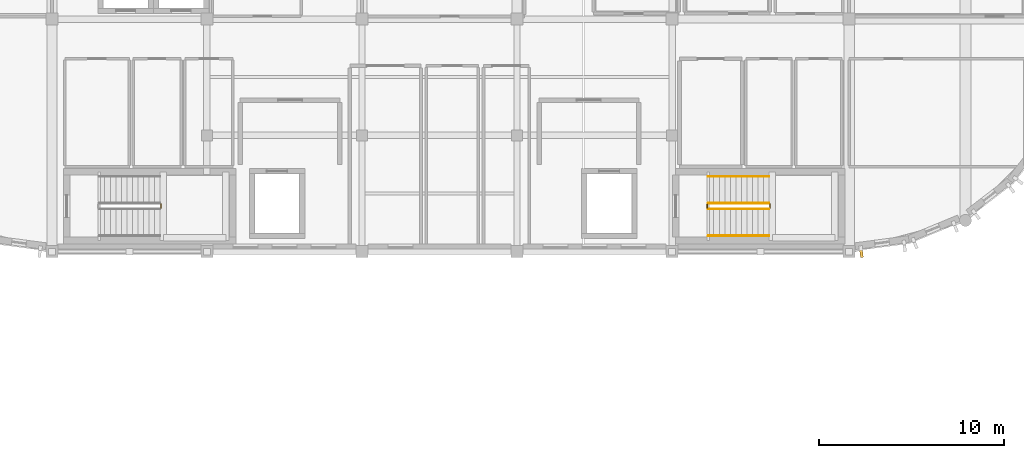
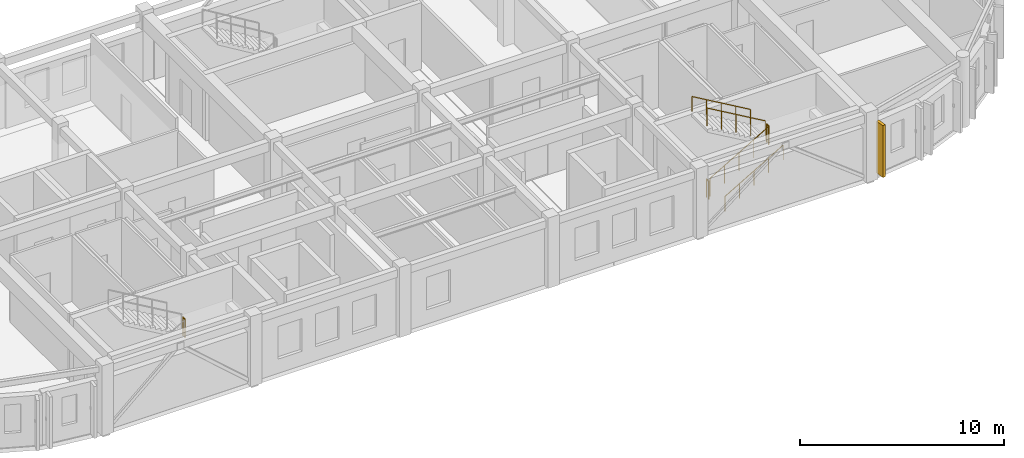
# One storey, part 26 of 29: 7 railings, 1 covering.
"""IFC4 building model written with IfcOpenShell, lengths in metres."""

import ifcopenshell
import ifcopenshell.guid

model = None  # the IFC model being written
_history = None  # IfcOwnerHistory: only IFC2X3 demands one
_inside = {}  # id of a spatial element -> (the spatial element, [elements in it])
_under = {}  # id of a project, library or spatial element -> (it, [spatial elements below it])
_declared = {}  # id of a project -> (the project, [libraries it declares])
_typed = {}  # id of a type object -> (the type object, [elements of that type])
_made_of = {}  # id of a material, layer set ... -> (it, [elements and type objects made of it])


def new_model(schema):
    """Start an empty IFC model of exactly this schema.

    Asked for "IFC4X3", IfcOpenShell would pick the latest addendum, in which some entities
    have other attributes; the version numbers below select the first issue.
    IFC2X3 requires an IfcOwnerHistory on every rooted entity: one is made here for all.
    """
    global model, _history
    if schema == "IFC4X3":
        model = ifcopenshell.file(schema_version=(4, 3, 0, 0))
    else:
        model = ifcopenshell.file(schema=schema)
    _inside.clear()
    _under.clear()
    _declared.clear()
    _typed.clear()
    _made_of.clear()
    _history = None
    if model.schema == "IFC2X3":
        org = make("IfcOrganization", Name="unknown")
        user = make(
            "IfcPersonAndOrganization",
            ThePerson=make("IfcPerson", FamilyName="unknown"),
            TheOrganization=org,
        )
        app = make(
            "IfcApplication",
            ApplicationDeveloper=org,
            Version="unknown",
            ApplicationFullName="unknown",
            ApplicationIdentifier="unknown",
        )
        _history = make(
            "IfcOwnerHistory",
            OwningUser=user,
            OwningApplication=app,
            ChangeAction="ADDED",
            CreationDate=0,
        )
    return model


def make(cls, **values):
    """One entity of the class cls with the attributes given. An attribute that is None is left unset."""
    return model.create_entity(
        cls, **{name: value for name, value in values.items() if value is not None}
    )


def rooted(cls, **values):
    """An entity with a GlobalId (a new one), such as an element, a storey or a relation."""
    return make(cls, GlobalId=ifcopenshell.guid.new(), OwnerHistory=_history, **values)


def si_unit(unit_type, name, prefix=None):
    """IfcSIUnit, for example si_unit("LENGTHUNIT", "METRE", prefix="MILLI")."""
    return make("IfcSIUnit", UnitType=unit_type, Prefix=prefix, Name=name)


def assignment(units):
    """IfcUnitAssignment: the units of a project."""
    return None if units is None else make("IfcUnitAssignment", Units=units)


def point(xyz):
    """IfcCartesianPoint."""
    return None if xyz is None else make("IfcCartesianPoint", Coordinates=xyz)


def direction(xyz):
    """IfcDirection."""
    return None if xyz is None else make("IfcDirection", DirectionRatios=xyz)


def frame(location, z_axis=None, x_axis=None):
    """IfcAxis2Placement3D, a coordinate frame: its origin and axes. An axis left out is left unset."""
    return make(
        "IfcAxis2Placement3D",
        Location=point(location),
        Axis=direction(z_axis),
        RefDirection=direction(x_axis),
    )


def frame_2d(location, x_axis=None):
    """IfcAxis2Placement2D, a coordinate frame in the plane: its origin and x axis."""
    return make(
        "IfcAxis2Placement2D", Location=point(location), RefDirection=direction(x_axis)
    )


def origin():
    """The frame at (0, 0, 0) with its axes left unset."""
    return frame((0.0, 0.0, 0.0))


def origin_2d():
    """The frame at (0, 0) in the plane with its x axis left unset."""
    return frame_2d((0.0, 0.0))


def place(relative_to, where):
    """IfcLocalPlacement: puts the frame where relative to a parent placement (None: the world)."""
    return make(
        "IfcLocalPlacement", PlacementRelTo=relative_to, RelativePlacement=where
    )


def context(
    kind, dimensions, precision=None, world=None, true_north=None, identifier=None
):
    """IfcGeometricRepresentationContext, for example the 3D "Model" context."""
    return make(
        "IfcGeometricRepresentationContext",
        ContextIdentifier=identifier,
        ContextType=kind,
        CoordinateSpaceDimension=dimensions,
        Precision=precision,
        WorldCoordinateSystem=world,
        TrueNorth=true_north,
    )


def subcontext(parent, identifier, kind, view, scale=None):
    """IfcGeometricRepresentationSubContext, for example "Body" below "Model"."""
    return make(
        "IfcGeometricRepresentationSubContext",
        ContextIdentifier=identifier,
        ContextType=kind,
        ParentContext=parent,
        TargetScale=scale,
        TargetView=view,
    )


def project(units=None, contexts=None):
    """IfcProject with its units and contexts."""
    return rooted(
        "IfcProject",
        Name="project",
        RepresentationContexts=contexts,
        UnitsInContext=assignment(units),
    )


def spatial(cls, under=None, at=None, **own):
    """A site, building, storey or space (cls), placed at a placement, below another one or the project."""
    s = rooted(cls, ObjectPlacement=at, **own)
    if under is not None:
        _under.setdefault(under.id(), (under, []))[1].append(s)
    return s


def profile(cls, at=None, kind="AREA", **sizes):
    """A parametric profile (cls). Its sizes go by their IFC names, for example OverallWidth=200.0."""
    return make(cls, ProfileType=kind, Position=at, **sizes)


def rectangle(**sizes):
    """IfcRectangleProfileDef."""
    return profile("IfcRectangleProfileDef", **sizes)


def circle(**sizes):
    """IfcCircleProfileDef."""
    return profile("IfcCircleProfileDef", **sizes)


def extrude(swept, where, along, depth):
    """IfcExtrudedAreaSolid: the profile swept, set in the frame where, extruded along a direction by depth."""
    return make(
        "IfcExtrudedAreaSolid",
        SweptArea=swept,
        Position=where,
        ExtrudedDirection=direction(along),
        Depth=depth,
    )


def shape(context_of_items, identifier, shape_type, items):
    """IfcShapeRepresentation: the items that make up one representation, for example the "Body"."""
    return make(
        "IfcShapeRepresentation",
        ContextOfItems=context_of_items,
        RepresentationIdentifier=identifier,
        RepresentationType=shape_type,
        Items=items,
    )


def material(Name=None, Category=None):
    """IfcMaterial."""
    return make("IfcMaterial", Name=Name, Category=Category)


def layer(
    of_material, thickness, ventilated=None, Name=None, Category=None, Priority=None
):
    """IfcMaterialLayer: one layer of a wall or slab, of a material (None: an air gap)."""
    return make(
        "IfcMaterialLayer",
        Material=of_material,
        LayerThickness=thickness,
        IsVentilated=ventilated,
        Name=Name,
        Category=Category,
        Priority=Priority,
    )


def layer_set(layers, Name=None):
    """IfcMaterialLayerSet."""
    return make("IfcMaterialLayerSet", MaterialLayers=layers, LayerSetName=Name)


def made_of(thing, what):
    """Note that an element or type object is made of a material, layer set ...; save() writes the relation."""
    if what is not None:
        _made_of.setdefault(what.id(), (what, []))[1].append(thing)
    return thing


def type_object(cls, material=None, **own):
    """A type object (cls), such as IfcWallType, which elements share."""
    return made_of(rooted(cls, **own), material)


def element(
    cls,
    number,
    at=None,
    inside=None,
    cuts=None,
    type_object=None,
    material=None,
    context=None,
    identifier="Body",
    shape_type=None,
    held_by="IfcProductDefinitionShape",
    body=None,
    shapes=None,
    **own,
):
    """One element of the class cls, such as IfcWall. Its Tag is "e" and its number.

    at: its placement. inside: the storey or other place that contains it. cuts: it is an
    opening in that element (IfcRelVoidsElement). A single representation is given by context,
    identifier, shape_type and body (its items); several are given by shapes. held_by: the class
    of the entity that holds the representations. save() writes the other relations.
    """
    e = rooted(cls, Tag="e%d" % number, ObjectPlacement=at, **own)
    if body is not None:
        shapes = [shape(context, identifier, shape_type, body)]
    if shapes is not None:
        e.Representation = make(held_by, Representations=shapes)
    if inside is not None:
        _inside.setdefault(inside.id(), (inside, []))[1].append(e)
    if cuts is not None:
        rooted(
            "IfcRelVoidsElement", RelatingBuildingElement=cuts, RelatedOpeningElement=e
        )
    if type_object is not None:
        _typed.setdefault(type_object.id(), (type_object, []))[1].append(e)
    return made_of(e, material)


def aggregate(whole, parts):
    """IfcRelAggregates: a whole, such as a stair, and the parts it consists of."""
    return rooted("IfcRelAggregates", RelatingObject=whole, RelatedObjects=parts)


def save(model, path):
    """Write the relations noted so far, then the file.

    IfcRelAggregates (storeys below a building ...), IfcRelContainedInSpatialStructure (elements
    in a storey), IfcRelDefinesByType, IfcRelAssociatesMaterial and IfcRelDeclares: one each for
    every whole, place, type object, material and project.
    """
    for whole, parts in _under.values():
        aggregate(whole, parts)
    for where, things in _inside.values():
        rooted(
            "IfcRelContainedInSpatialStructure",
            RelatedElements=things,
            RelatingStructure=where,
        )
    for kind, things in _typed.values():
        rooted("IfcRelDefinesByType", RelatedObjects=things, RelatingType=kind)
    for what, things in _made_of.values():
        rooted("IfcRelAssociatesMaterial", RelatedObjects=things, RelatingMaterial=what)
    for by, libraries in _declared.values():
        rooted("IfcRelDeclares", RelatingContext=by, RelatedDefinitions=libraries)
    model.write(path)


model = new_model("IFC4")

# Units and contexts
model_context = context("Model", 3, precision=1e-05, world=origin(), true_north=direction((0.0, 1.0)))
body_context = subcontext(model_context, "Body", "Model", "MODEL_VIEW")
ifc_project = project(units=[si_unit("LENGTHUNIT", "METRE"), si_unit("AREAUNIT", "SQUARE_METRE"), si_unit("VOLUMEUNIT", "CUBIC_METRE"), si_unit("PLANEANGLEUNIT", "RADIAN"), si_unit("MASSUNIT", "GRAM", prefix="KILO")], contexts=[model_context])

# Site, building, storey
site_placement = place(None, origin())
site = spatial("IfcSite", under=ifc_project, at=site_placement, CompositionType="ELEMENT")
building_placement = place(site_placement, origin())
building = spatial("IfcBuilding", under=site, at=building_placement, Name="Tarnavel Promenade Courthouse", CompositionType="ELEMENT")
storey_placement = place(building_placement, frame((0.0, 0.0, 22.800048828125)))
storey = spatial("IfcBuildingStorey", under=building, at=storey_placement, Name="L06", CompositionType="ELEMENT", Elevation=22.800048828125)

# Railings
ifc_material_1 = material(Name="Brushed Bronze Tubular Stair Handrail")
railing_type_1 = type_object("IfcRailingType", Name="Brushed Bronze Tubular Stair Handrail (RL-HND-0900)", PredefinedType="HANDRAIL", material=ifc_material_1)
railing_1_placement = place(storey_placement, frame((94.360107421875, 80.050048828125, 0.175048828125)))
element("IfcRailing", 1, at=railing_1_placement, inside=storey, type_object=railing_type_1, Name="L06 ST-02 stair handrail 1", PredefinedType="HANDRAIL", context=body_context, shape_type="SweptSolid", body=[
    extrude(circle(Radius=0.02392578125, at=origin_2d()), frame((0.0, 0.0, 0.8759765625), z_axis=(0.863788172461, 0.0, 0.503855131081), x_axis=(0.0, 1.0, 0.0)), (0.0, 0.0, 1.0), 3.820068359375),
    extrude(circle(Radius=0.02099609375, at=origin_2d()), origin(), (0.0, 0.0, 1.0), 0.851806640625),
    extrude(circle(Radius=0.02099609375, at=origin_2d()), frame((0.824951171875, 0.0, 0.481201171875)), (0.0, 0.0, 1.0), 0.851806640625),
    extrude(circle(Radius=0.02099609375, at=origin_2d()), frame((1.64990234375, 0.0, 0.96240234375)), (0.0, 0.0, 1.0), 0.851806640625),
    extrude(circle(Radius=0.02099609375, at=origin_2d()), frame((2.474853515625, 0.0, 1.443603515625)), (0.0, 0.0, 1.0), 0.851806640625),
    extrude(circle(Radius=0.02099609375, at=origin_2d()), frame((3.2998046875, 0.0, 1.9248046875)), (0.0, 0.0, 1.0), 0.851806640625),
])
railing_2_placement = place(storey_placement, frame((97.659912109375, 83.27001953125, 2.27490234375)))
element("IfcRailing", 2, at=railing_2_placement, inside=storey, type_object=railing_type_1, Name="L06 ST-02 stair handrail 2", PredefinedType="HANDRAIL", context=body_context, shape_type="SweptSolid", body=[
    extrude(circle(Radius=0.02392578125, at=origin_2d()), frame((0.0, 0.0, 0.8759765625), z_axis=(-0.863760357493, 0.0, 0.503902812876), x_axis=(0.0, -1.0, 0.0)), (0.0, 0.0, 1.0), 3.8203125),
    extrude(circle(Radius=0.02099609375, at=origin_2d()), origin(), (0.0, 0.0, 1.0), 0.851806640625),
    extrude(circle(Radius=0.02099609375, at=origin_2d()), frame((-0.824951171875, 0.0, 0.481201171875)), (0.0, 0.0, 1.0), 0.851806640625),
    extrude(circle(Radius=0.02099609375, at=origin_2d()), frame((-1.64990234375, 0.0, 0.96240234375)), (0.0, 0.0, 1.0), 0.851806640625),
    extrude(circle(Radius=0.02099609375, at=origin_2d()), frame((-2.474853515625, 0.0, 1.44384765625)), (0.0, 0.0, 1.0), 0.851806640625),
    extrude(circle(Radius=0.02099609375, at=origin_2d()), frame((-3.2998046875, 0.0, 1.925048828125)), (0.0, 0.0, 1.0), 0.851806640625),
])
ifc_material_2 = material(Name="Painted Architectural Steel Core Stair Guardrail", Category="steel")
railing_type_2 = type_object("IfcRailingType", Name="Painted Architectural Steel Core Stair Guardrail (RL-GRD-1100)", PredefinedType="GUARDRAIL", material=ifc_material_2)
railing_3_placement = place(storey_placement, frame((64.7099609375, 81.56005859375, 2.099853515625)))
element("IfcRailing", 3, at=railing_3_placement, inside=storey, type_object=railing_type_2, Name="L06 ST-01 stair guard 2", PredefinedType="GUARDRAIL", context=body_context, shape_type="SweptSolid", body=[
    extrude(circle(Radius=0.02392578125, at=origin_2d()), frame((0.0, 0.0, 1.076171875), z_axis=(0.0, 1.0, 0.0), x_axis=(-1.0, 0.0, 0.0)), (0.0, 0.0, 1.0), 0.199951171875),
    extrude(circle(Radius=0.02099609375, at=origin_2d()), origin(), (0.0, 0.0, 1.0), 1.052001953125),
    extrude(circle(Radius=0.02099609375, at=origin_2d()), frame((0.0, 0.199951171875, 0.0)), (0.0, 0.0, 1.0), 1.052001953125),
])
railing_4_placement = place(storey_placement, frame((94.360107421875, 81.510009765625, 0.175048828125)))
element("IfcRailing", 4, at=railing_4_placement, inside=storey, type_object=railing_type_2, Name="L06 ST-02 stair guard 1", PredefinedType="GUARDRAIL", context=body_context, shape_type="SweptSolid", body=[
    extrude(circle(Radius=0.02392578125, at=origin_2d()), frame((0.0, 0.0, 1.076171875), z_axis=(0.863788172461, 0.0, 0.503855131081), x_axis=(0.0, 1.0, 0.0)), (0.0, 0.0, 1.0), 3.820068359375),
    extrude(circle(Radius=0.02099609375, at=origin_2d()), origin(), (0.0, 0.0, 1.0), 1.052001953125),
    extrude(circle(Radius=0.02099609375, at=origin_2d()), frame((0.824951171875, 0.0, 0.481201171875)), (0.0, 0.0, 1.0), 1.052001953125),
    extrude(circle(Radius=0.02099609375, at=origin_2d()), frame((1.64990234375, 0.0, 0.96240234375)), (0.0, 0.0, 1.0), 1.052001953125),
    extrude(circle(Radius=0.02099609375, at=origin_2d()), frame((2.474853515625, 0.0, 1.443603515625)), (0.0, 0.0, 1.0), 1.052001953125),
    extrude(circle(Radius=0.02099609375, at=origin_2d()), frame((3.2998046875, 0.0, 1.9248046875)), (0.0, 0.0, 1.0), 1.052001953125),
])
railing_5_placement = place(storey_placement, frame((97.7099609375, 81.56005859375, 2.099853515625)))
element("IfcRailing", 5, at=railing_5_placement, inside=storey, type_object=railing_type_2, Name="L06 ST-02 stair guard 2", PredefinedType="GUARDRAIL", context=body_context, shape_type="SweptSolid", body=[
    extrude(circle(Radius=0.02392578125, at=origin_2d()), frame((0.0, 0.0, 1.076171875), z_axis=(0.0, 1.0, 0.0), x_axis=(-1.0, 0.0, 0.0)), (0.0, 0.0, 1.0), 0.199951171875),
    extrude(circle(Radius=0.02099609375, at=origin_2d()), origin(), (0.0, 0.0, 1.0), 1.052001953125),
    extrude(circle(Radius=0.02099609375, at=origin_2d()), frame((0.0, 0.199951171875, 0.0)), (0.0, 0.0, 1.0), 1.052001953125),
])
railing_6_placement = place(storey_placement, frame((97.659912109375, 81.81005859375, 2.27490234375)))
element("IfcRailing", 6, at=railing_6_placement, inside=storey, type_object=railing_type_2, Name="L06 ST-02 stair guard 3", PredefinedType="GUARDRAIL", context=body_context, shape_type="SweptSolid", body=[
    extrude(circle(Radius=0.02392578125, at=origin_2d()), frame((0.0, 0.0, 1.076171875), z_axis=(-0.863760357493, 0.0, 0.503902812876), x_axis=(0.0, -1.0, 0.0)), (0.0, 0.0, 1.0), 3.8203125),
    extrude(circle(Radius=0.02099609375, at=origin_2d()), origin(), (0.0, 0.0, 1.0), 1.052001953125),
    extrude(circle(Radius=0.02099609375, at=origin_2d()), frame((-0.824951171875, 0.0, 0.481201171875)), (0.0, 0.0, 1.0), 1.052001953125),
    extrude(circle(Radius=0.02099609375, at=origin_2d()), frame((-1.64990234375, 0.0, 0.96240234375)), (0.0, 0.0, 1.0), 1.052001953125),
    extrude(circle(Radius=0.02099609375, at=origin_2d()), frame((-2.474853515625, 0.0, 1.44384765625)), (0.0, 0.0, 1.0), 1.052001953125),
    extrude(circle(Radius=0.02099609375, at=origin_2d()), frame((-3.2998046875, 0.0, 1.925048828125)), (0.0, 0.0, 1.0), 1.052001953125),
])
railing_7_placement = place(storey_placement, frame((94.31005859375, 81.56005859375, 0.0)))
element("IfcRailing", 7, at=railing_7_placement, inside=storey, type_object=railing_type_2, Name="L06 ST-02 stair guard 4", PredefinedType="GUARDRAIL", context=body_context, shape_type="SweptSolid", body=[
    extrude(circle(Radius=0.02392578125, at=origin_2d()), frame((0.0, 0.0, 1.076171875), z_axis=(0.0, 1.0, 0.0), x_axis=(-1.0, 0.0, 0.0)), (0.0, 0.0, 1.0), 0.199951171875),
    extrude(circle(Radius=0.02099609375, at=origin_2d()), origin(), (0.0, 0.0, 1.0), 1.052001953125),
    extrude(circle(Radius=0.02099609375, at=origin_2d()), frame((0.0, 0.199951171875, 0.0)), (0.0, 0.0, 1.0), 1.052001953125),
])

# Covering
ifc_material_3 = material(Name="Patinated Copper-Bronze Fluted Pier Cladding")
ifc_layer = layer(ifc_material_3, 0.52001953125)
ifc_layer_set = layer_set([ifc_layer], Name="Patinated Copper-Bronze Fluted Pier Cladding")
covering_type = type_object("IfcCoveringType", Name="Patinated Copper-Bronze Fluted Pier Cladding COV-PIER-520 (520 mm)", PredefinedType="CLADDING", material=ifc_layer_set)
covering_placement = place(storey_placement, frame((102.65771484375, 79.1455078125, 0.0), z_axis=(0.0, 0.0, 1.0), x_axis=(0.991444861374, 0.13052619222, 0.0)))
element("IfcCovering", 8, at=covering_placement, inside=storey, type_object=covering_type, Name="L06 E Drum Fluted Copper Pier 0199", PredefinedType="CLADDING", context=body_context, shape_type="SweptSolid", body=[
    extrude(rectangle(XDim=0.159912109375, YDim=0.52001953125, at=origin_2d()), origin(), (0.0, 0.0, 1.0), 3.10009765625),
])

save(model, "model.ifc")
